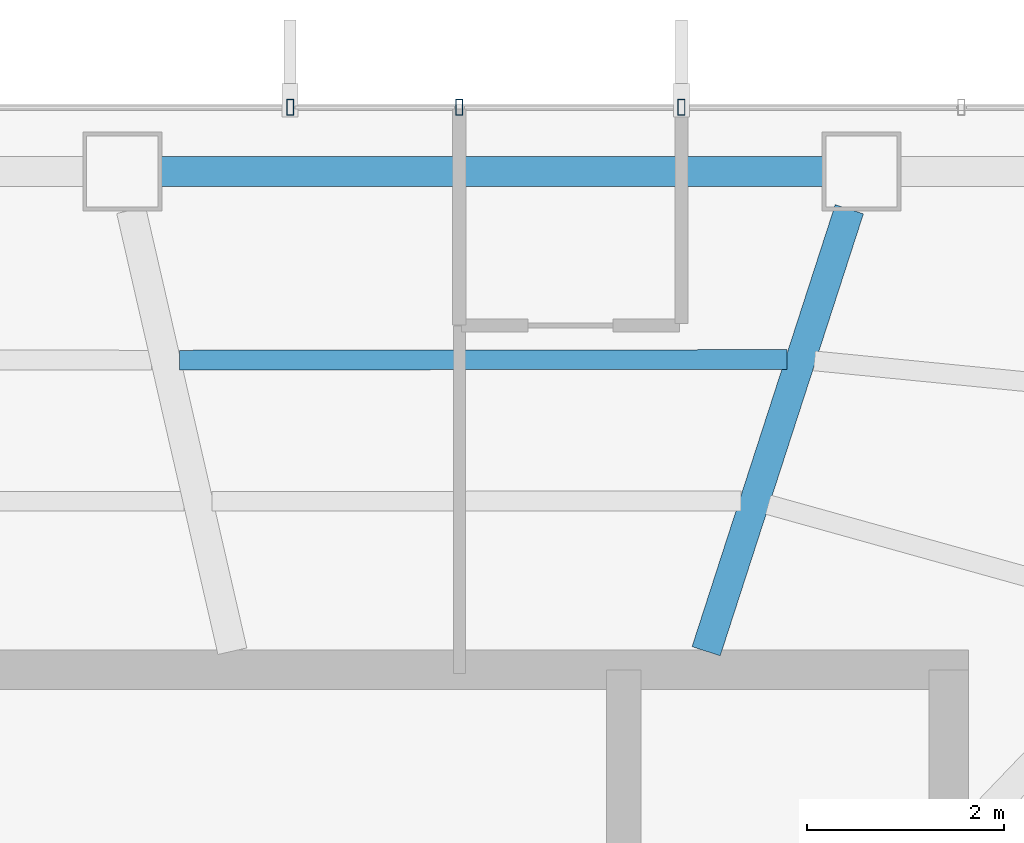
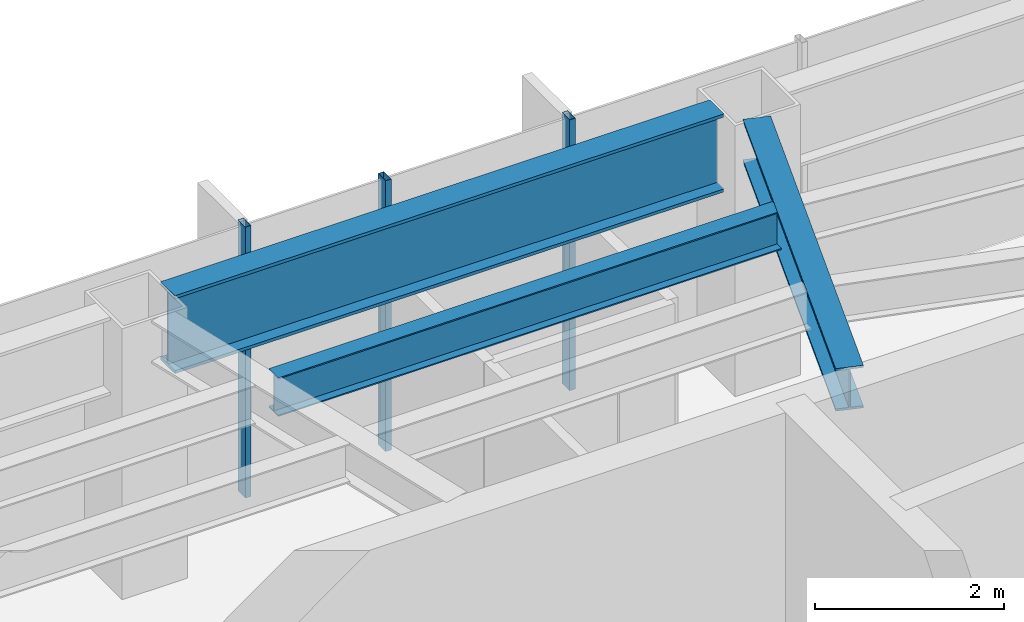
# One storey, part 16 of 29: 3 beams, 3 members, 1 element without a shape of its own.
"""IFC4 building model written with IfcOpenShell, lengths in metres."""

from ifc_helpers import new_model, si_unit, direction, frame, origin, origin_2d, place, context, subcontext, project, spatial, hollow_rectangle, i_section, extrude, material, layer, layer_set, material_profile, profile_set, type_object, element, aggregate, save


model = new_model("IFC4")

# Units and contexts
model_context = context("Model", 3, precision=1e-05, world=origin(), true_north=direction((0.0, 1.0)))
body_context = subcontext(model_context, "Body", "Model", "MODEL_VIEW")
ifc_project = project(units=[si_unit("LENGTHUNIT", "METRE"), si_unit("AREAUNIT", "SQUARE_METRE"), si_unit("VOLUMEUNIT", "CUBIC_METRE"), si_unit("PLANEANGLEUNIT", "RADIAN"), si_unit("MASSUNIT", "GRAM", prefix="KILO")], contexts=[model_context])

# Site, building, storey
site_placement = place(None, origin())
site = spatial("IfcSite", under=ifc_project, at=site_placement, CompositionType="ELEMENT")
building_placement = place(site_placement, origin())
building = spatial("IfcBuilding", under=site, at=building_placement, Name="Zarrinselat Tower", CompositionType="ELEMENT")
storey_placement = place(building_placement, frame((0.0, 0.0, 138.3798828125)))
storey = spatial("IfcBuildingStorey", under=building, at=storey_placement, Name="L33", CompositionType="ELEMENT", Elevation=138.3798828125)

# Beams
ifc_material_1 = material(Name="Steel S355J2", Category="steel")
ifc_material_profile_1 = material_profile(ifc_material_1, i_section(OverallWidth=0.300048828125, OverallDepth=0.550048828125, WebThickness=0.014892578125, FlangeThickness=0.029052734375, at=origin_2d()), Name="HEB 550")
ifc_profile_set_1 = profile_set([ifc_material_profile_1], Name="Steel S355J2")
beam_type_1 = type_object("IfcBeamType", Name="BM-HEB550", PredefinedType="BEAM", material=ifc_profile_set_1)
beam_1_placement = place(storey_placement, frame((45.800048828125, 43.639892578125, 3.22509765625), z_axis=(0.308249736475, 0.951305471425, 0.0), x_axis=(-0.951305471425, 0.308249736475, 0.0)))
element("IfcBeam", 1, at=beam_1_placement, inside=storey, type_object=beam_type_1, Name="L33 Radial Primary Girder RG02", PredefinedType="BEAM", context=body_context, shape_type="SweptSolid", body=[
    extrude(i_section(OverallWidth=0.300048828125, OverallDepth=0.550048828125, WebThickness=0.014892578125, FlangeThickness=0.029052734375, at=origin_2d()), origin(), (0.0, 0.0, 1.0), 4.70703125),
])
ifc_material_2 = material(Name="Steel S460M", Category="steel")
ifc_material_profile_2 = material_profile(ifc_material_2, i_section(OverallWidth=0.302001953125, OverallDepth=1.008056640625, WebThickness=0.02099609375, FlangeThickness=0.0400390625, at=origin_2d()), Name="HEM 1000")
ifc_profile_set_2 = profile_set([ifc_material_profile_2], Name="Steel S460M")
beam_type_2 = type_object("IfcBeamType", Name="BM-HEM1000", PredefinedType="BEAM", material=ifc_profile_set_2)
beam_2_placement = place(storey_placement, frame((40.272705078125, 48.5, 2.99609375), z_axis=(1.0, 0.0, 0.0), x_axis=(0.0, 1.0, 0.0)))
element("IfcBeam", 2, at=beam_2_placement, inside=storey, type_object=beam_type_2, Name="L33 Perimeter Spandrel Girder SP02", PredefinedType="BEAM", context=body_context, shape_type="SweptSolid", body=[
    extrude(i_section(OverallWidth=0.302001953125, OverallDepth=1.008056640625, WebThickness=0.02099609375, FlangeThickness=0.0400390625, at=origin_2d()), origin(), (0.0, 0.0, 1.0), 6.714111328125),
])
ifc_material_3 = material(Name="Steel S355J2", Category="steel")
ifc_material_profile_3 = material_profile(ifc_material_3, i_section(OverallWidth=0.199951171875, OverallDepth=0.5, WebThickness=0.01025390625, FlangeThickness=0.01611328125, at=origin_2d()), Name="IPE 500")
ifc_profile_set_3 = profile_set([ifc_material_profile_3], Name="Steel S355J2")
beam_type_3 = type_object("IfcBeamType", Name="BM-IPE500", PredefinedType="JOIST", material=ifc_profile_set_3)
beam_3_placement = place(storey_placement, frame((40.463134765625, 46.589111328125, 3.25), z_axis=(0.999999508257, 0.000991708823, 0.0), x_axis=(-0.000991708823, 0.999999508257, 0.0)))
element("IfcBeam", 3, at=beam_3_placement, inside=storey, type_object=beam_type_3, Name="L33 Composite Floor Joist 7-1", PredefinedType="JOIST", context=body_context, shape_type="SweptSolid", body=[
    extrude(i_section(OverallWidth=0.199951171875, OverallDepth=0.5, WebThickness=0.01025390625, FlangeThickness=0.01611328125, at=origin_2d()), origin(), (0.0, 0.0, 1.0), 6.154541015625),
])

# Curtain wall, members
ifc_material_4 = material(Name="Extruded Aluminium Alloy EN AW-6063 T6", Category="aluminium")
ifc_layer = layer(ifc_material_4, 0.175048828125)
ifc_layer_set = layer_set([ifc_layer], Name="Extruded Aluminium Alloy EN AW-6063 T6")
curtain_wall_type = type_object("IfcCurtainWallType", Name="CWS-HTL", PredefinedType="NOTDEFINED", material=ifc_layer_set)
curtain_wall_placement = place(storey_placement, origin())
curtain_wall = element("IfcCurtainWall", 4, at=curtain_wall_placement, inside=storey, type_object=curtain_wall_type, Name="L33 Unitised Curtain Wall CW-L33-E01", PredefinedType="NOTDEFINED")
ifc_material_5 = material(Name="Extruded Aluminium Alloy EN AW-6063 T6", Category="aluminium")
ifc_material_profile_4 = material_profile(ifc_material_5, hollow_rectangle(XDim=0.070068359375, YDim=0.159912109375, WallThickness=0.00390625, at=origin_2d()), Name="RHS 160x70x4")
ifc_profile_set_4 = profile_set([ifc_material_profile_4], Name="Extruded Aluminium Alloy EN AW-6063 T6")
member_type = type_object("IfcMemberType", Name="MEM-CW-MUL2", PredefinedType="MULLION", material=ifc_profile_set_4)
member_1_placement = place(storey_placement, frame((45.550048828125, 49.14990234375, 0.0), z_axis=(0.0, 0.0, 1.0), x_axis=(-1.0, 0.0, 0.0)))
member_1 = element("IfcMember", 5, at=member_1_placement, type_object=member_type, Name="CW-L33-E01 Mullion 3", PredefinedType="MULLION", context=body_context, shape_type="SweptSolid", body=[
    extrude(hollow_rectangle(XDim=0.070068359375, YDim=0.159912109375, WallThickness=0.00390625, at=origin_2d()), origin(), (0.0, 0.0, 1.0), 3.5),
])
member_2_placement = place(storey_placement, frame((43.300048828125, 49.14990234375, 0.0), z_axis=(0.0, 0.0, 1.0), x_axis=(-1.0, 0.0, 0.0)))
member_2 = element("IfcMember", 6, at=member_2_placement, type_object=member_type, Name="CW-L33-E01 Mullion 4", PredefinedType="MULLION", context=body_context, shape_type="SweptSolid", body=[
    extrude(hollow_rectangle(XDim=0.070068359375, YDim=0.159912109375, WallThickness=0.00390625, at=origin_2d()), origin(), (0.0, 0.0, 1.0), 3.5),
])
member_3_placement = place(storey_placement, frame((41.585205078125, 49.14990234375, 0.0), z_axis=(0.0, 0.0, 1.0), x_axis=(-1.0, 0.0, 0.0)))
member_3 = element("IfcMember", 7, at=member_3_placement, type_object=member_type, Name="CW-L33-E01 Mullion 5", PredefinedType="MULLION", context=body_context, shape_type="SweptSolid", body=[
    extrude(hollow_rectangle(XDim=0.070068359375, YDim=0.159912109375, WallThickness=0.00390625, at=origin_2d()), origin(), (0.0, 0.0, 1.0), 3.5),
])
aggregate(curtain_wall, [member_1, member_2, member_3])

save(model, "model.ifc")
